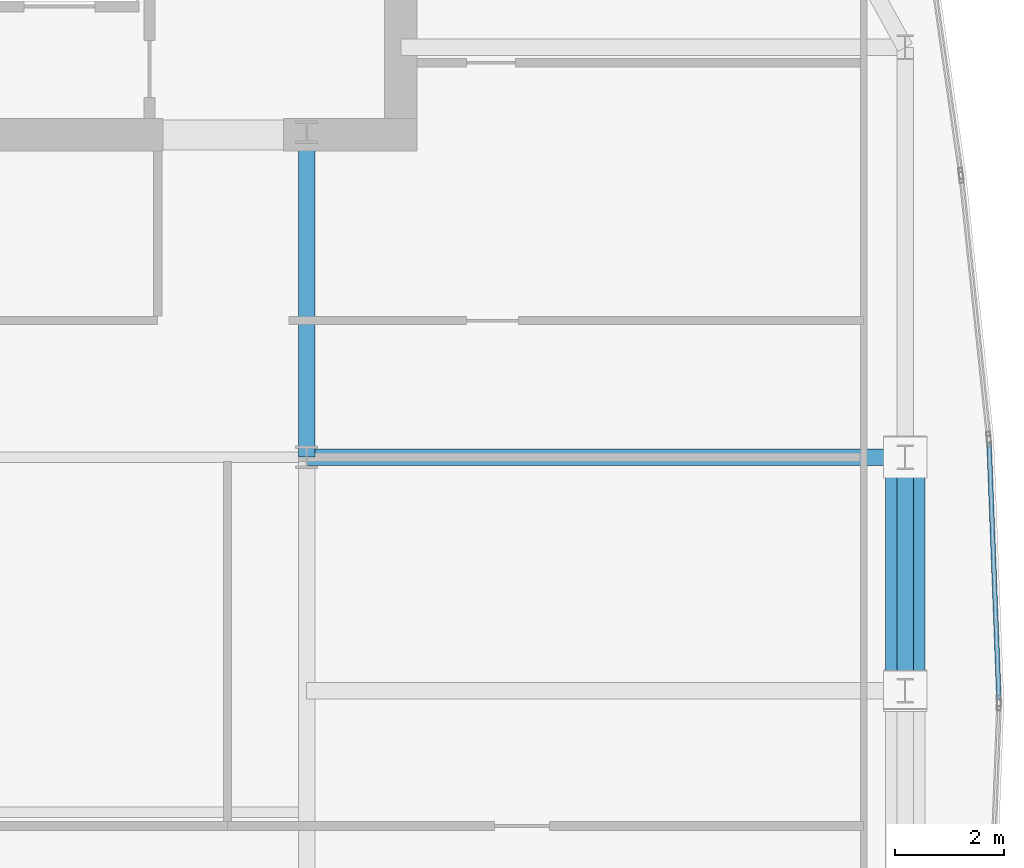
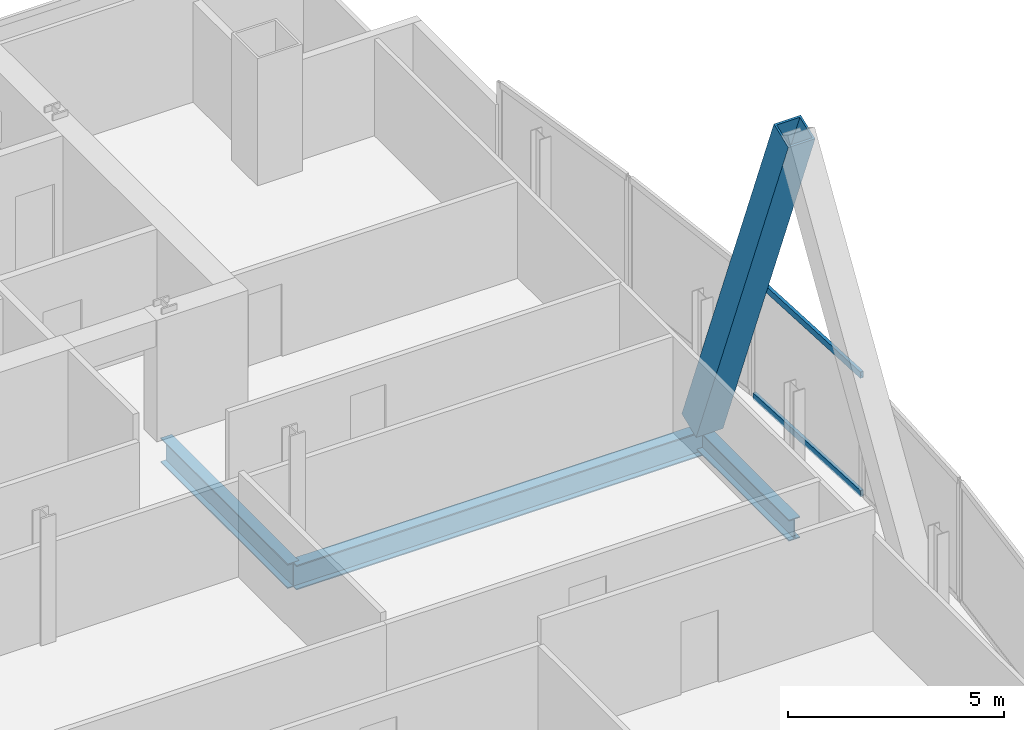
# One storey, part 20 of 32: 3 beams, 3 members, 1 element without a shape of its own.
"""IFC4 building model written with IfcOpenShell, lengths in metres."""

from ifc_helpers import new_model, si_unit, direction, frame, origin, origin_2d, place, context, subcontext, project, spatial, hollow_rectangle, i_section, extrude, material, material_profile, profile_set, type_object, element, aggregate, save


model = new_model("IFC4")

# Units and contexts
model_context = context("Model", 3, precision=1e-05, world=origin(), true_north=direction((0.0, 1.0)))
body_context = subcontext(model_context, "Body", "Model", "MODEL_VIEW")
ifc_project = project(units=[si_unit("LENGTHUNIT", "METRE"), si_unit("AREAUNIT", "SQUARE_METRE"), si_unit("VOLUMEUNIT", "CUBIC_METRE"), si_unit("PLANEANGLEUNIT", "RADIAN"), si_unit("MASSUNIT", "GRAM", prefix="KILO")], contexts=[model_context])

# Site, building, storey
site_placement = place(None, origin())
site = spatial("IfcSite", under=ifc_project, at=site_placement, CompositionType="ELEMENT")
building_placement = place(site_placement, origin())
building = spatial("IfcBuilding", under=site, at=building_placement, Name="Khoronbel Lancet Exchange", CompositionType="ELEMENT")
storey_placement = place(building_placement, frame((0.0, 0.0, 199.39990234375)))
storey = spatial("IfcBuildingStorey", under=building, at=storey_placement, Name="L50", CompositionType="ELEMENT", Elevation=199.39990234375)

# Beams
ifc_material_1 = material(Name="Steel S355", Category="steel")
ifc_material_profile_1 = material_profile(ifc_material_1, i_section(OverallWidth=0.300048828125, OverallDepth=0.699951171875, WebThickness=0.01708984375, FlangeThickness=0.031982421875, at=origin_2d()), Name="HEB 700")
ifc_profile_set_1 = profile_set([ifc_material_profile_1], Name="Steel S355")
beam_type_1 = type_object("IfcBeamType", Name="BM-BG3", PredefinedType="BEAM", material=ifc_profile_set_1)
beam_1_placement = place(storey_placement, frame((54.675048828125, 35.699951171875, -0.510009765625), z_axis=(0.0, 1.0, 0.0), x_axis=(-1.0, 0.0, 0.0)))
element("IfcBeam", 1, at=beam_1_placement, inside=storey, type_object=beam_type_1, Name="Level L50 spine tie girder GN6", PredefinedType="BEAM", context=body_context, shape_type="SweptSolid", body=[
    extrude(i_section(OverallWidth=0.300048828125, OverallDepth=0.699951171875, WebThickness=0.01708984375, FlangeThickness=0.031982421875, at=origin_2d()), origin(), (0.0, 0.0, 1.0), 5.900146484375),
])
beam_2_placement = place(storey_placement, frame((54.675048828125, 35.699951171875, -0.510009765625), z_axis=(1.0, 0.0, 0.0), x_axis=(0.0, 1.0, 0.0)))
element("IfcBeam", 2, at=beam_2_placement, inside=storey, type_object=beam_type_1, Name="Level L50 east lens tie girder LG4E", PredefinedType="BEAM", context=body_context, shape_type="SweptSolid", body=[
    extrude(i_section(OverallWidth=0.300048828125, OverallDepth=0.699951171875, WebThickness=0.01708984375, FlangeThickness=0.031982421875, at=origin_2d()), origin(), (0.0, 0.0, 1.0), 10.954833984375),
])
ifc_material_profile_2 = material_profile(ifc_material_1, i_section(OverallWidth=0.300048828125, OverallDepth=0.60009765625, WebThickness=0.015380859375, FlangeThickness=0.030029296875, at=origin_2d()), Name="HEB 600")
ifc_profile_set_2 = profile_set([ifc_material_profile_2], Name="Steel S355")
beam_type_2 = type_object("IfcBeamType", Name="BM-BSP2", PredefinedType="SPANDREL", material=ifc_profile_set_2)
beam_3_placement = place(storey_placement, frame((65.6298828125, 31.425048828125, -0.4599609375), z_axis=(0.0, 1.0, 0.0), x_axis=(-1.0, 0.0, 0.0)))
element("IfcBeam", 3, at=beam_3_placement, inside=storey, type_object=beam_type_2, Name="Level L50 perimeter spandrel beam SP13", PredefinedType="SPANDREL", context=body_context, shape_type="SweptSolid", body=[
    extrude(i_section(OverallWidth=0.300048828125, OverallDepth=0.60009765625, WebThickness=0.015380859375, FlangeThickness=0.030029296875, at=origin_2d()), origin(), (0.0, 0.0, 1.0), 4.27490234375),
])

# Curtain wall, members
ifc_material_2 = material(Name="Low-E Solar Control Insulating Glass", Category="glass")
curtain_wall_type = type_object("IfcCurtainWallType", Name="CW-4", PredefinedType="NOTDEFINED", material=ifc_material_2)
curtain_wall_placement = place(storey_placement, origin())
curtain_wall = element("IfcCurtainWall", 4, at=curtain_wall_placement, inside=storey, type_object=curtain_wall_type, Name="Unitised curtain wall CW-L50-E19", PredefinedType="NOTDEFINED")
ifc_material_3 = material(Name="Bronze-Anodised Aluminium 6063-T6", Category="aluminium")
ifc_material_profile_3 = material_profile(ifc_material_3, hollow_rectangle(XDim=0.0849609375, YDim=0.179931640625, WallThickness=0.0048828125, at=origin_2d()), Name="ALU TRANSOM 85x180")
ifc_profile_set_3 = profile_set([ifc_material_profile_3], Name="Bronze-Anodised Aluminium 6063-T6")
member_type_1 = type_object("IfcMemberType", Name="MEM-CWT1", PredefinedType="USERDEFINED", material=ifc_profile_set_3)
member_1_placement = place(storey_placement, frame((67.166748046875, 35.951904296875, 0.04248046875), z_axis=(0.038495222777, -0.999258784211, 0.0), x_axis=(0.999258784211, 0.038495222777, 0.0)))
member_1 = element("IfcMember", 5, at=member_1_placement, type_object=member_type_1, Name="CW4 transom 1.1", ObjectType="TRANSOM", PredefinedType="USERDEFINED", context=body_context, shape_type="SweptSolid", body=[
    extrude(hollow_rectangle(XDim=0.0849609375, YDim=0.179931640625, WallThickness=0.0048828125, at=origin_2d()), origin(), (0.0, 0.0, 1.0), 4.680419921875),
])
member_2_placement = place(storey_placement, frame((67.166748046875, 35.951904296875, 3.397705078125), z_axis=(0.038495222777, -0.999258784211, 0.0), x_axis=(0.999258784211, 0.038495222777, 0.0)))
member_2 = element("IfcMember", 6, at=member_2_placement, type_object=member_type_1, Name="CW4 transom 1.2", ObjectType="TRANSOM", PredefinedType="USERDEFINED", context=body_context, shape_type="SweptSolid", body=[
    extrude(hollow_rectangle(XDim=0.0849609375, YDim=0.179931640625, WallThickness=0.0048828125, at=origin_2d()), origin(), (0.0, 0.0, 1.0), 4.680419921875),
])
aggregate(curtain_wall, [member_1, member_2])

# Member
ifc_material_4 = material(Name="Steel S460", Category="steel")
ifc_material_profile_4 = material_profile(ifc_material_4, hollow_rectangle(XDim=0.719970703125, YDim=0.719970703125, WallThickness=0.050048828125, at=origin_2d()), Name="BOX 720x720x50")
ifc_profile_set_4 = profile_set([ifc_material_profile_4], Name="Steel S460")
member_type_2 = type_object("IfcMemberType", Name="MEM-MB2", PredefinedType="BRACE", material=ifc_profile_set_4)
member_3_placement = place(storey_placement, frame((65.6298828125, 35.699951171875, 0.0), z_axis=(0.0, -0.368039743753, 0.929810059646), x_axis=(1.0, 0.0, 0.0)))
element("IfcMember", 7, at=member_3_placement, inside=storey, type_object=member_type_2, Name="Perimeter lancet brace tier 17 E-P-R", PredefinedType="BRACE", context=body_context, shape_type="SweptSolid", body=[
    extrude(hollow_rectangle(XDim=0.719970703125, YDim=0.719970703125, WallThickness=0.050048828125, at=origin_2d()), origin(), (0.0, 0.0, 1.0), 11.615234375),
])

save(model, "model.ifc")
